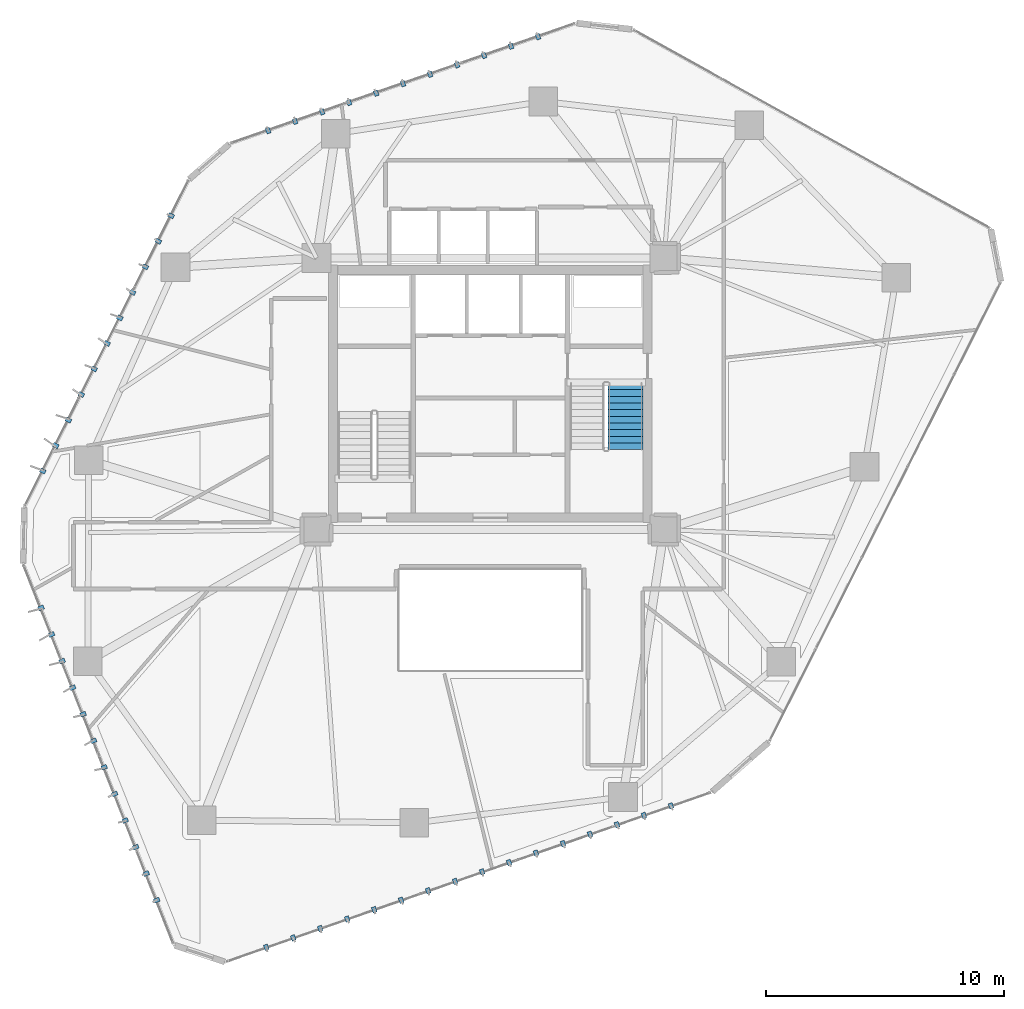
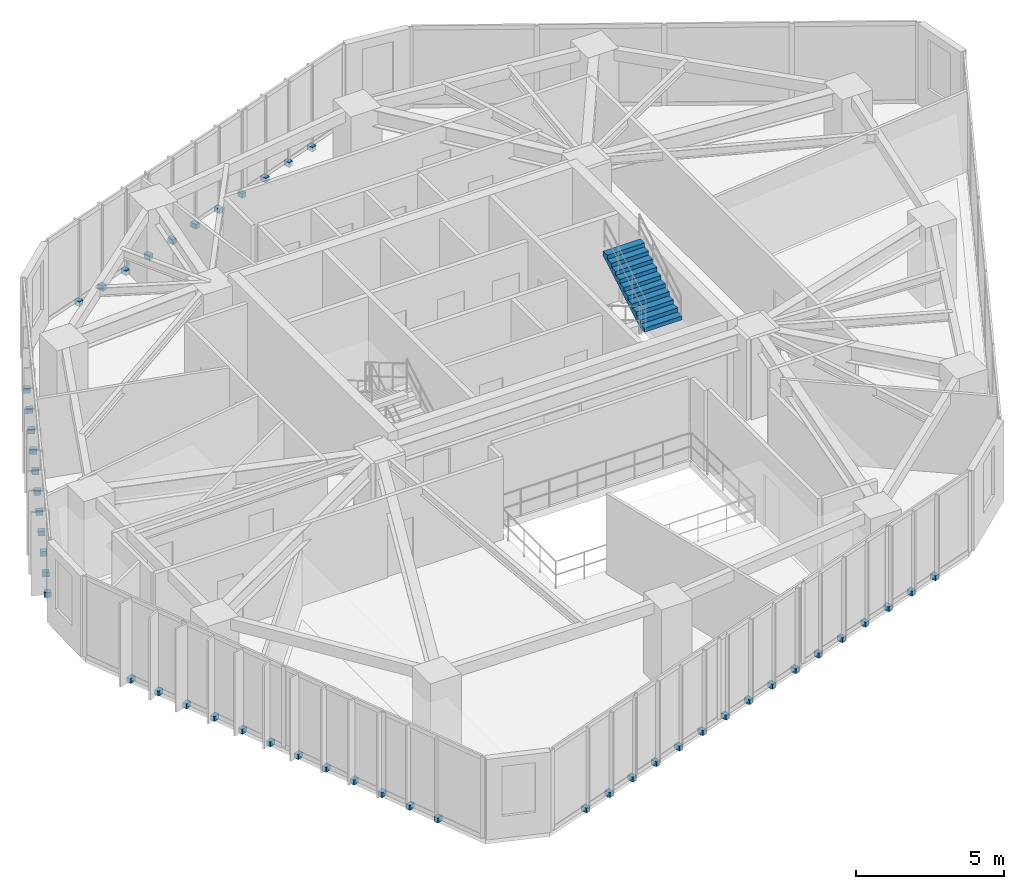
# One storey, part 18 of 21: 50 discrete accessories, 1 stair flight, 1 element without a shape of its own.
"""IFC4 building model written with IfcOpenShell, lengths in metres."""

from ifc_helpers import new_model, si_unit, direction, frame, origin, origin_2d, place, context, subcontext, project, spatial, polyline, rectangle, outline, extrude, source, transform, mapped, material, layer, layer_set, type_object, type_shapes, element, aggregate, save


model = new_model("IFC4")

# Units and contexts
model_context = context("Model", 3, precision=1e-05, world=origin(), true_north=direction((0.0, 1.0)))
body_context = subcontext(model_context, "Body", "Model", "MODEL_VIEW")
ifc_project = project(units=[si_unit("LENGTHUNIT", "METRE"), si_unit("AREAUNIT", "SQUARE_METRE"), si_unit("VOLUMEUNIT", "CUBIC_METRE"), si_unit("PLANEANGLEUNIT", "RADIAN"), si_unit("MASSUNIT", "GRAM", prefix="KILO")], contexts=[model_context])

# Site, building, storey
site_placement = place(None, origin())
site = spatial("IfcSite", under=ifc_project, at=site_placement, CompositionType="ELEMENT")
building_placement = place(site_placement, origin())
building = spatial("IfcBuilding", under=site, at=building_placement, Name="Talar Marvaseh", CompositionType="ELEMENT")
storey_placement = place(building_placement, frame((0.0, 0.0, 147.0)))
storey = spatial("IfcBuildingStorey", under=building, at=storey_placement, Name="L38", CompositionType="ELEMENT", Elevation=147.0)

# Stair, stair flight
ifc_material_1 = material(Name="Concrete C40/50", Category="concrete")
stair_type = type_object("IfcStairType", Name="Reinforced Concrete Half-Turn Exit Stair Type B", PredefinedType="HALF_TURN_STAIR", material=ifc_material_1)
stair_placement = place(storey_placement, origin())
stair = element("IfcStair", 1, at=stair_placement, inside=storey, type_object=stair_type, Name="L38 Tower East Core Exit Stair", PredefinedType="HALF_TURN_STAIR")
ifc_layer = layer(ifc_material_1, 0.159912109375)
ifc_layer_set = layer_set([ifc_layer], Name="Concrete C40/50")
stair_flight_type = type_object("IfcStairFlightType", Name="Reinforced Concrete Straight Stair Flight 160", PredefinedType="STRAIGHT", material=ifc_layer_set)
stair_flight_placement = place(storey_placement, frame((31.675048828125, 28.85009765625, 1.800048828125), z_axis=(0.0, 0.0, 1.0), x_axis=(0.0, 1.0, 0.0)))
stair_flight = element("IfcStairFlight", 2, at=stair_flight_placement, type_object=stair_flight_type, Name="ST-2 flight 2", NumberOfRisers=11, NumberOfTreads=10, PredefinedType="STRAIGHT", RiserHeight=0.163636364, TreadLength=0.28, context=body_context, shape_type="SweptSolid", body=[
    extrude(outline(polyline([(0.0, 0.0), (0.0, 0.16357421875), (0.280029296875, 0.16357421875), (0.280029296875, 0.327392578125), (0.56005859375, 0.327392578125), (0.56005859375, 0.490966796875), (0.840087890625, 0.490966796875), (0.840087890625, 0.654541015625), (1.1201171875, 0.654541015625), (1.1201171875, 0.818115234375), (1.39990234375, 0.818115234375), (1.39990234375, 0.98193359375), (1.679931640625, 0.98193359375), (1.679931640625, 1.1455078125), (1.9599609375, 1.1455078125), (1.9599609375, 1.30908203125), (2.239990234375, 1.30908203125), (2.239990234375, 1.47265625), (2.52001953125, 1.47265625), (2.52001953125, 1.636474609375), (2.800048828125, 1.636474609375), (2.800048828125, 1.800048828125), (2.800048828125, 1.451171875), (0.31689453125, 0.0), (0.0, 0.0)])), frame((0.0, 0.72509765625, 0.0), z_axis=(0.0, -1.0, 0.0), x_axis=(1.0, 0.0, 0.0)), (0.0, 0.0, 1.0), 1.449951171875),
])
aggregate(stair, [stair_flight])

# Discrete accessories
ifc_material_2 = material(Name="Stainless Steel Grade 316", Category="steel")
discrete_accessory_type = type_object("IfcDiscreteAccessoryType", Name="Stainless Slab-Edge Fin Mounting Bracket", PredefinedType="BRACKET", material=ifc_material_2)
shared_shape = source(origin(), body_context, "Body", "SweptSolid", [
    extrude(rectangle(XDim=0.239990234375, YDim=0.179931640625, at=origin_2d()), origin(), (0.0, 0.0, 1.0), 0.199951171875),
])
type_shapes(discrete_accessory_type, [shared_shape])
for number, where, z_axis, x_axis, name in (
    (3, (11.994384765625, 9.935302734375, -0.18017578125), (0.0, 0.0, 1.0), (-0.929776485888, -0.368124552685, 0.0), "L38 Vertical Fin Slab-Edge Bracket"),
    (4, (11.552490234375, 11.051025390625, -0.18017578125), (0.0, 0.0, 1.0), (-0.929776485888, -0.368124552685, 0.0), "L38 Vertical Fin Slab-Edge Bracket"),
    (5, (11.11083984375, 12.166748046875, -0.18017578125), (0.0, 0.0, 1.0), (-0.929776485888, -0.368124552685, 0.0), "L38 Vertical Fin Slab-Edge Bracket"),
    (6, (10.669189453125, 13.282470703125, -0.18017578125), (0.0, 0.0, 1.0), (-0.929776485888, -0.368124552685, 0.0), "L38 Vertical Fin Slab-Edge Bracket"),
    (7, (10.2275390625, 14.398193359375, -0.18017578125), (0.0, 0.0, 1.0), (-0.929776485888, -0.368124552685, 0.0), "L38 Vertical Fin Slab-Edge Bracket"),
    (8, (9.785888671875, 15.513916015625, -0.18017578125), (0.0, 0.0, 1.0), (-0.929776485888, -0.368124552685, 0.0), "L38 Vertical Fin Slab-Edge Bracket"),
    (9, (9.34423828125, 16.6298828125, -0.18017578125), (0.0, 0.0, 1.0), (-0.929776485888, -0.368124552685, 0.0), "L38 Vertical Fin Slab-Edge Bracket"),
    (10, (8.902587890625, 17.74560546875, -0.18017578125), (0.0, 0.0, 1.0), (-0.929776485888, -0.368124552685, 0.0), "L38 Vertical Fin Slab-Edge Bracket"),
    (11, (8.4609375, 18.861328125, -0.18017578125), (0.0, 0.0, 1.0), (-0.929776485888, -0.368124552685, 0.0), "L38 Vertical Fin Slab-Edge Bracket"),
    (12, (8.019287109375, 19.97705078125, -0.18017578125), (0.0, 0.0, 1.0), (-0.929776485888, -0.368124552685, 0.0), "L38 Vertical Fin Slab-Edge Bracket"),
    (13, (7.577392578125, 21.093017578125, -0.18017578125), (0.0, 0.0, 1.0), (-0.929776485888, -0.368124552685, 0.0), "L38 Vertical Fin Slab-Edge Bracket"),
    (14, (7.135986328125, 22.20849609375, -0.18017578125), (0.0, 0.0, 1.0), (-0.929776485888, -0.368124552685, 0.0), "L38 Vertical Fin Slab-Edge Bracket"),
    (15, (7.209716796875, 27.951904296875, -0.18017578125), (0.0, 0.0, 1.0), (-0.893528175816, 0.449007125805, 0.0), "L38 Vertical Fin Slab-Edge Bracket"),
    (16, (7.74853515625, 29.02392578125, -0.18017578125), (0.0, 0.0, 1.0), (-0.893528175816, 0.449007125805, 0.0), "L38 Vertical Fin Slab-Edge Bracket"),
    (17, (8.28759765625, 30.09619140625, -0.18017578125), (0.0, 0.0, 1.0), (-0.893528175816, 0.449007125805, 0.0), "L38 Vertical Fin Slab-Edge Bracket"),
    (18, (8.826416015625, 31.16845703125, -0.18017578125), (0.0, 0.0, 1.0), (-0.893528175816, 0.449007125805, 0.0), "L38 Vertical Fin Slab-Edge Bracket"),
    (19, (9.365234375, 32.24072265625, -0.18017578125), (0.0, 0.0, 1.0), (-0.893528175816, 0.449007125805, 0.0), "L38 Vertical Fin Slab-Edge Bracket"),
    (20, (9.904052734375, 33.31298828125, -0.18017578125), (0.0, 0.0, 1.0), (-0.893528175816, 0.449007125805, 0.0), "L38 Vertical Fin Slab-Edge Bracket"),
    (21, (10.44287109375, 34.385009765625, -0.18017578125), (0.0, 0.0, 1.0), (-0.893528175816, 0.449007125805, 0.0), "L38 Vertical Fin Slab-Edge Bracket"),
    (22, (10.981689453125, 35.457275390625, -0.18017578125), (0.0, 0.0, 1.0), (-0.893528175816, 0.449007125805, 0.0), "L38 Vertical Fin Slab-Edge Bracket"),
    (23, (11.5205078125, 36.529541015625, -0.18017578125), (0.0, 0.0, 1.0), (-0.893528175816, 0.449007125805, 0.0), "L38 Vertical Fin Slab-Edge Bracket"),
    (24, (12.059326171875, 37.601806640625, -0.18017578125), (0.0, 0.0, 1.0), (-0.893528175816, 0.449007125805, 0.0), "L38 Vertical Fin Slab-Edge Bracket"),
    (25, (12.59814453125, 38.674072265625, -0.18017578125), (0.0, 0.0, 1.0), (-0.893528175816, 0.449007125805, 0.0), "L38 Vertical Fin Slab-Edge Bracket"),
    (26, (16.6708984375, 42.24560546875, -0.18017578125), (0.0, 0.0, 1.0), (-0.328536977169, 0.944491108816, 0.0), "L38 Vertical Fin Slab-Edge Bracket"),
    (27, (17.80419921875, 42.639892578125, -0.18017578125), (0.0, 0.0, 1.0), (-0.328536977169, 0.944491108816, 0.0), "L38 Vertical Fin Slab-Edge Bracket"),
    (28, (18.9375, 43.0341796875, -0.18017578125), (0.0, 0.0, 1.0), (-0.328536977169, 0.944491108816, 0.0), "L38 Vertical Fin Slab-Edge Bracket"),
    (29, (20.071044921875, 43.428466796875, -0.18017578125), (0.0, 0.0, 1.0), (-0.328536977169, 0.944491108816, 0.0), "L38 Vertical Fin Slab-Edge Bracket"),
    (30, (21.204345703125, 43.82275390625, -0.18017578125), (0.0, 0.0, 1.0), (-0.328536977169, 0.944491108816, 0.0), "L38 Vertical Fin Slab-Edge Bracket"),
    (31, (22.337890625, 44.217041015625, -0.18017578125), (0.0, 0.0, 1.0), (-0.328536977169, 0.944491108816, 0.0), "L38 Vertical Fin Slab-Edge Bracket"),
    (32, (23.47119140625, 44.611328125, -0.18017578125), (0.0, 0.0, 1.0), (-0.328536977169, 0.944491108816, 0.0), "L38 Vertical Fin Slab-Edge Bracket"),
    (33, (24.6044921875, 45.005615234375, -0.18017578125), (0.0, 0.0, 1.0), (-0.328536977169, 0.944491108816, 0.0), "L38 Vertical Fin Slab-Edge Bracket"),
    (34, (25.73779296875, 45.39990234375, -0.18017578125), (0.0, 0.0, 1.0), (-0.328536977169, 0.944491108816, 0.0), "L38 Vertical Fin Slab-Edge Bracket"),
    (35, (26.871337890625, 45.794189453125, -0.18017578125), (0.0, 0.0, 1.0), (-0.328536977169, 0.944491108816, 0.0), "L38 Vertical Fin Slab-Edge Bracket"),
    (36, (28.004638671875, 46.1884765625, -0.18017578125), (0.0, 0.0, 1.0), (-0.328536977169, 0.944491108816, 0.0), "L38 Vertical Fin Slab-Edge Bracket"),
    (37, (33.583740234375, 13.893310546875, -0.18017578125), (0.0, 0.0, 1.0), (0.329855414859, -0.944031464141, 0.0), "L38 Vertical Fin Slab-Edge Bracket"),
    (38, (32.45068359375, 13.49755859375, -0.18017578125), (0.0, 0.0, 1.0), (0.329855414859, -0.944031464141, 0.0), "L38 Vertical Fin Slab-Edge Bracket"),
    (39, (31.318115234375, 13.101806640625, -0.18017578125), (0.0, 0.0, 1.0), (0.329855414859, -0.944031464141, 0.0), "L38 Vertical Fin Slab-Edge Bracket"),
    (40, (30.18505859375, 12.705810546875, -0.18017578125), (0.0, 0.0, 1.0), (0.329855414859, -0.944031464141, 0.0), "L38 Vertical Fin Slab-Edge Bracket"),
    (41, (29.05224609375, 12.31005859375, -0.18017578125), (0.0, 0.0, 1.0), (0.329855414859, -0.944031464141, 0.0), "L38 Vertical Fin Slab-Edge Bracket"),
    (42, (27.91943359375, 11.914306640625, -0.18017578125), (0.0, 0.0, 1.0), (0.329855414859, -0.944031464141, 0.0), "L38 Vertical Fin Slab-Edge Bracket"),
    (43, (26.78662109375, 11.5185546875, -0.18017578125), (0.0, 0.0, 1.0), (0.329855414859, -0.944031464141, 0.0), "L38 Vertical Fin Slab-Edge Bracket"),
    (44, (25.65380859375, 11.122802734375, -0.18017578125), (0.0, 0.0, 1.0), (0.329855414859, -0.944031464141, 0.0), "L38 Vertical Fin Slab-Edge Bracket"),
    (45, (24.52099609375, 10.726806640625, -0.18017578125), (0.0, 0.0, 1.0), (0.329855414859, -0.944031464141, 0.0), "L38 Vertical Fin Slab-Edge Bracket"),
    (46, (23.38818359375, 10.3310546875, -0.18017578125), (0.0, 0.0, 1.0), (0.329855414859, -0.944031464141, 0.0), "L38 Vertical Fin Slab-Edge Bracket"),
    (47, (22.255126953125, 9.935302734375, -0.18017578125), (0.0, 0.0, 1.0), (0.329855414859, -0.944031464141, 0.0), "L38 Vertical Fin Slab-Edge Bracket"),
    (48, (21.122314453125, 9.53955078125, -0.18017578125), (0.0, 0.0, 1.0), (0.329855414859, -0.944031464141, 0.0), "L38 Vertical Fin Slab-Edge Bracket"),
    (49, (19.989501953125, 9.143798828125, -0.18017578125), (0.0, 0.0, 1.0), (0.329855414859, -0.944031464141, 0.0), "L38 Vertical Fin Slab-Edge Bracket"),
    (50, (18.856689453125, 8.747802734375, -0.18017578125), (0.0, 0.0, 1.0), (0.329855414859, -0.944031464141, 0.0), "L38 Vertical Fin Slab-Edge Bracket"),
    (51, (17.723876953125, 8.35205078125, -0.18017578125), (0.0, 0.0, 1.0), (0.329855414859, -0.944031464141, 0.0), "L38 Vertical Fin Slab-Edge Bracket"),
    (52, (16.591064453125, 7.956298828125, -0.18017578125), (0.0, 0.0, 1.0), (0.329855414859, -0.944031464141, 0.0), "L38 Vertical Fin Slab-Edge Bracket"),
):
    element("IfcDiscreteAccessory", number, at=place(storey_placement, frame(where, z_axis=z_axis, x_axis=x_axis)), inside=storey, type_object=discrete_accessory_type, Name=name, PredefinedType="BRACKET", context=body_context, shape_type="MappedRepresentation", body=[
        mapped(shared_shape, transform((0.0, 0.0, 0.0), x_axis=(1.0, 0.0, 0.0), y_axis=(0.0, 1.0, 0.0), z_axis=(0.0, 0.0, 1.0), scale=1.0)),
    ])

save(model, "model.ifc")
